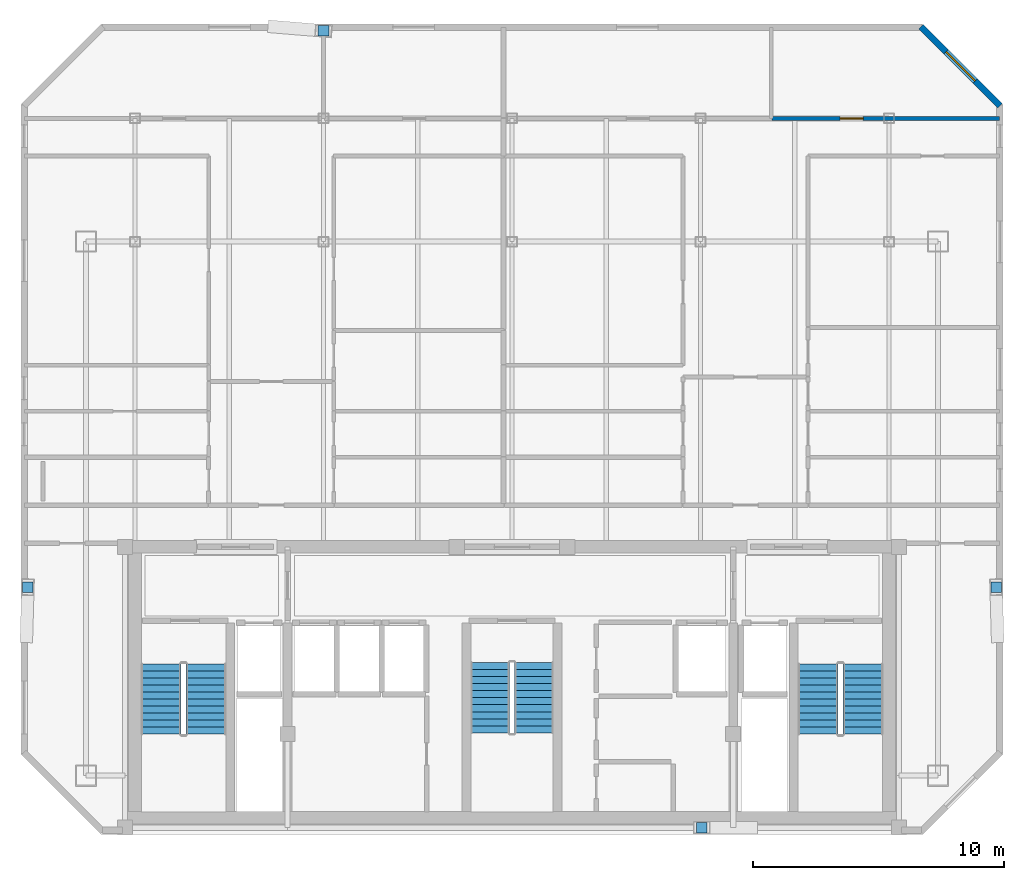
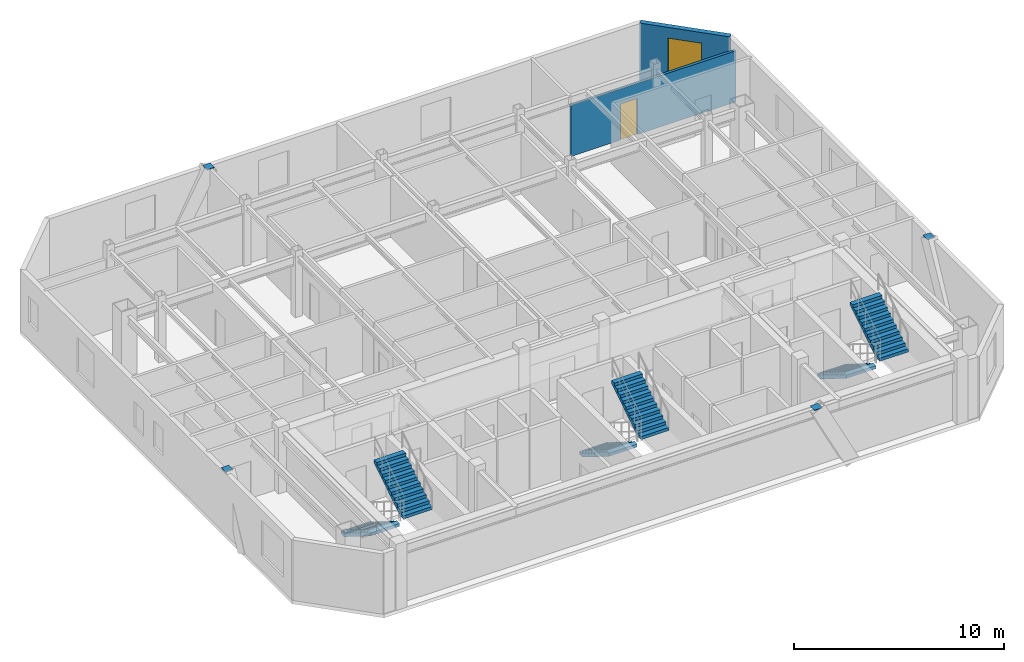
# One storey, part 6 of 7: 6 stair flights, 4 discrete accessories, 2 walls, 1 door, 1 window, 2 openings, 3 elements without a shape of their own.
"""IFC4 building model written with IfcOpenShell, lengths in metres."""

from ifc_helpers import new_model, si_unit, direction, frame, frame_2d, origin, origin_2d, place, context, subcontext, project, spatial, polyline, rectangle, outline, extrude, material, layer, layer_set, type_object, element, fill, aggregate, save


model = new_model("IFC4")

# Units and contexts
model_context = context("Model", 3, precision=1e-05, world=origin(), true_north=direction((0.0, 1.0)))
body_context = subcontext(model_context, "Body", "Model", "MODEL_VIEW")
ifc_project = project(units=[si_unit("LENGTHUNIT", "METRE"), si_unit("AREAUNIT", "SQUARE_METRE"), si_unit("VOLUMEUNIT", "CUBIC_METRE"), si_unit("PLANEANGLEUNIT", "RADIAN"), si_unit("MASSUNIT", "GRAM", prefix="KILO")], contexts=[model_context])

# Site, building, storey
site_placement = place(None, origin())
site = spatial("IfcSite", under=ifc_project, at=site_placement, CompositionType="ELEMENT")
building_placement = place(site_placement, origin())
building = spatial("IfcBuilding", under=site, at=building_placement, Name="Ventersveld Concourse Tower", CompositionType="ELEMENT")
storey_placement = place(building_placement, frame((0.0, 0.0, 328.449951171875)))
storey = spatial("IfcBuildingStorey", under=building, at=storey_placement, Name="L81", CompositionType="ELEMENT", Elevation=328.449951171875)

# Wall, opening, door
ifc_material_1 = material(Name="Autoclaved aerated masonry blockwork", Category="masonry")
ifc_layer_1 = layer(ifc_material_1, 0.14990234375)
ifc_layer_set_1 = layer_set([ifc_layer_1], Name="Autoclaved aerated masonry blockwork")
wall_type_1 = type_object("IfcWallType", Name="WL-INT-150", PredefinedType="PARTITIONING", material=ifc_layer_set_1)
wall_1_placement = place(storey_placement, frame((39.097900390625, 28.5, 0.0), z_axis=(0.0, 0.0, 1.0), x_axis=(1.0, 0.0, 0.0)))
wall_1 = element("IfcWall", 1, at=wall_1_placement, inside=storey, type_object=wall_type_1, Name="L81 Interior Partition SP-L81-81N2-LIV-SP-L81-81N2-BR2", PredefinedType="PARTITIONING", context=body_context, shape_type="SweptSolid", body=[
    extrude(rectangle(XDim=9.04638671875, YDim=0.14990234375, at=frame_2d((4.523193359375, 0.0))), origin(), (0.0, 0.0, 1.0), 2.967041015625),
])
opening_1_placement = place(wall_1_placement, frame((2.706298828125, 0.0, 0.0)))
opening_1 = element("IfcOpeningElement", 2, at=opening_1_placement, cuts=wall_1, Name="Opening ID1", PredefinedType="OPENING", context=body_context, shape_type="SweptSolid", body=[
    extrude(rectangle(XDim=0.919921875, YDim=2.10009765625, at=frame_2d((0.4599609375, 1.050048828125))), frame((0.0, 0.0849609375, 0.0), z_axis=(0.0, -1.0, 0.0), x_axis=(1.0, 0.0, 0.0)), (0.0, 0.0, 1.0), 0.169921875),
])
ifc_material_2 = material(Name="Solid-core hardwood veneer timber", Category="wood")
door_type = type_object("IfcDoorType", Name="DR-ROOM-092", OperationType="NOTDEFINED", PredefinedType="DOOR", material=ifc_material_2)
door_placement = place(opening_1_placement, origin())
door = element("IfcDoor", 3, at=door_placement, inside=storey, type_object=door_type, Name="L81 Interior Door SP-L81-81N2-LIV to SP-L81-81N2-BR2 (D-L81-3703)", OperationType="SINGLE_SWING_LEFT", OverallHeight=2.10009765625, OverallWidth=0.919921875, PredefinedType="DOOR", context=body_context, shape_type="SweptSolid", body=[
    extrude(rectangle(XDim=0.919921875, YDim=2.10009765625, at=frame_2d((0.4599609375, 1.050048828125))), frame((0.0, 0.02490234375, 0.0), z_axis=(0.0, -1.0, 0.0), x_axis=(1.0, 0.0, 0.0)), (0.0, 0.0, 1.0), 0.050048828125),
])
fill(opening_1, door)

# Wall, opening, window
ifc_material_3 = material(Name="Precast concrete C45/55", Category="concrete")
ifc_layer_2 = layer(ifc_material_3, 0.260009765625)
ifc_layer_set_2 = layer_set([ifc_layer_2], Name="Precast concrete C45/55")
wall_type_2 = type_object("IfcWallType", Name="WL-PREC-260", PredefinedType="SOLIDWALL", material=ifc_layer_set_2)
wall_2_placement = place(storey_placement, frame((48.173583984375, 29.00146484375, 0.0), z_axis=(0.0, 0.0, 1.0), x_axis=(-0.707106781187, 0.707106781187, 0.0)))
wall_2 = element("IfcWall", 4, at=wall_2_placement, inside=storey, type_object=wall_type_2, Name="L81 Highveld Precast Facade Wall E04", PredefinedType="SOLIDWALL", context=body_context, shape_type="SweptSolid", body=[
    extrude(rectangle(XDim=4.4453125, YDim=0.260009765625, at=frame_2d((2.22265625, 0.0))), origin(), (0.0, 0.0, 1.0), 3.5),
])
opening_2_placement = place(wall_2_placement, frame((1.397705078125, 0.0, 0.8798828125)))
opening_2 = element("IfcOpeningElement", 5, at=opening_2_placement, cuts=wall_2, Name="Opening W6", PredefinedType="OPENING", context=body_context, shape_type="SweptSolid", body=[
    extrude(rectangle(XDim=1.64990234375, YDim=2.0, at=frame_2d((0.824951171875, 1.0))), frame((0.0, 0.14013671875, 0.0), z_axis=(0.0, -1.0, 0.0), x_axis=(1.0, 0.0, 0.0)), (0.0, 0.0, 1.0), 0.280029296875),
])
ifc_material_4 = material(Name="Tempered acoustic Low-E IGU", Category="glass")
window_type = type_object("IfcWindowType", Name="WIN-165x200", PartitioningType="SINGLE_PANEL", PredefinedType="WINDOW", material=ifc_material_4)
window_placement = place(opening_2_placement, origin())
window = element("IfcWindow", 6, at=window_placement, inside=storey, type_object=window_type, Name="L81 Punched Low-E Window W-1157", OverallHeight=2.0, OverallWidth=1.64990234375, PartitioningType="SINGLE_PANEL", PredefinedType="WINDOW", context=body_context, shape_type="SweptSolid", body=[
    extrude(rectangle(XDim=1.64990234375, YDim=2.0, at=frame_2d((0.824951171875, 1.0))), frame((0.0, 0.030029296875, 0.0), z_axis=(0.0, -1.0, 0.0), x_axis=(1.0, 0.0, 0.0)), (0.0, 0.0, 1.0), 0.06005859375),
])
fill(opening_2, window)

# Stair, stair flights
ifc_material_5 = material(Name="Concrete C50/60", Category="concrete")
stair_type_1 = type_object("IfcStairType", Name="ST-DOG-155", PredefinedType="HALF_TURN_STAIR", material=ifc_material_5)
stair_1_placement = place(storey_placement, origin())
stair_1 = element("IfcStair", 7, at=stair_1_placement, inside=storey, type_object=stair_type_1, Name="L81 Protected Central Core Escape Stair ST-03", PredefinedType="HALF_TURN_STAIR")
stair_flight_type_1 = type_object("IfcStairFlightType", Name="STF-RC-155", PredefinedType="STRAIGHT", material=ifc_material_5)
stair_flight_1_placement = place(storey_placement, frame((27.875, 6.85009765625, 0.0), z_axis=(0.0, 0.0, 1.0), x_axis=(0.0, -1.0, 0.0)))
stair_flight_1 = element("IfcStairFlight", 8, at=stair_flight_1_placement, type_object=stair_flight_type_1, Name="ST-03 flight 1", NumberOfRisers=11, NumberOfTreads=10, PredefinedType="STRAIGHT", RiserHeight=0.175, TreadLength=0.28, context=body_context, shape_type="SweptSolid", body=[
    extrude(outline(polyline([(0.0, 0.0), (0.0, 0.175048828125), (0.280029296875, 0.175048828125), (0.280029296875, 0.35009765625), (0.56005859375, 0.35009765625), (0.56005859375, 0.52490234375), (0.840087890625, 0.52490234375), (0.840087890625, 0.699951171875), (1.1201171875, 0.699951171875), (1.1201171875, 0.875), (1.39990234375, 0.875), (1.39990234375, 1.050048828125), (1.679931640625, 1.050048828125), (1.679931640625, 1.22509765625), (1.9599609375, 1.22509765625), (1.9599609375, 1.39990234375), (2.239990234375, 1.39990234375), (2.239990234375, 1.574951171875), (2.52001953125, 1.574951171875), (2.52001953125, 1.75), (2.800048828125, 1.75), (2.800048828125, 1.925048828125), (2.800048828125, 1.5732421875), (0.28271484375, 0.0), (0.0, 0.0)])), frame((0.0, 0.77490234375, 0.0), z_axis=(0.0, -1.0, 0.0), x_axis=(1.0, 0.0, 0.0)), (0.0, 0.0, 1.0), 1.550048828125),
])
stair_flight_2_placement = place(storey_placement, frame((29.625, 4.050048828125, 1.925048828125), z_axis=(0.0, 0.0, 1.0), x_axis=(0.0, 1.0, 0.0)))
stair_flight_2 = element("IfcStairFlight", 9, at=stair_flight_2_placement, type_object=stair_flight_type_1, Name="ST-03 flight 2", NumberOfRisers=11, NumberOfTreads=10, PredefinedType="STRAIGHT", RiserHeight=0.175, TreadLength=0.28, context=body_context, shape_type="SweptSolid", body=[
    extrude(outline(polyline([(0.0, 0.0), (0.0, 0.175048828125), (0.280029296875, 0.175048828125), (0.280029296875, 0.35009765625), (0.56005859375, 0.35009765625), (0.56005859375, 0.52490234375), (0.840087890625, 0.52490234375), (0.840087890625, 0.699951171875), (1.1201171875, 0.699951171875), (1.1201171875, 0.875), (1.39990234375, 0.875), (1.39990234375, 1.050048828125), (1.679931640625, 1.050048828125), (1.679931640625, 1.22509765625), (1.9599609375, 1.22509765625), (1.9599609375, 1.39990234375), (2.239990234375, 1.39990234375), (2.239990234375, 1.574951171875), (2.52001953125, 1.574951171875), (2.52001953125, 1.75), (2.800048828125, 1.75), (2.800048828125, 1.925048828125), (2.800048828125, 1.5732421875), (0.28271484375, 0.0), (0.0, 0.0)])), frame((0.0, 0.77490234375, 0.0), z_axis=(0.0, -1.0, 0.0), x_axis=(1.0, 0.0, 0.0)), (0.0, 0.0, 1.0), 1.550048828125),
])
aggregate(stair_1, [stair_flight_1, stair_flight_2])

stair_type_2 = type_object("IfcStairType", Name="ST-DOG-160", PredefinedType="HALF_TURN_STAIR", material=ifc_material_5)
stair_2_placement = place(storey_placement, origin())
stair_2 = element("IfcStair", 10, at=stair_2_placement, inside=storey, type_object=stair_type_2, Name="L81 Protected Tower Escape Stair ST-01", PredefinedType="HALF_TURN_STAIR")
stair_flight_type_2 = type_object("IfcStairFlightType", Name="STF-RC-160", PredefinedType="STRAIGHT", material=ifc_material_5)
stair_flight_3_placement = place(storey_placement, frame((14.780029296875, 6.800048828125, 0.0), z_axis=(0.0, 0.0, 1.0), x_axis=(0.0, -1.0, 0.0)))
stair_flight_3 = element("IfcStairFlight", 11, at=stair_flight_3_placement, type_object=stair_flight_type_2, Name="ST-01 flight 1", NumberOfRisers=11, NumberOfTreads=10, PredefinedType="STRAIGHT", RiserHeight=0.175, TreadLength=0.28, context=body_context, shape_type="SweptSolid", body=[
    extrude(outline(polyline([(0.0, 0.0), (0.0, 0.175048828125), (0.280029296875, 0.175048828125), (0.280029296875, 0.35009765625), (0.56005859375, 0.35009765625), (0.56005859375, 0.52490234375), (0.840087890625, 0.52490234375), (0.840087890625, 0.699951171875), (1.1201171875, 0.699951171875), (1.1201171875, 0.875), (1.39990234375, 0.875), (1.39990234375, 1.050048828125), (1.679931640625, 1.050048828125), (1.679931640625, 1.22509765625), (1.9599609375, 1.22509765625), (1.9599609375, 1.39990234375), (2.239990234375, 1.39990234375), (2.239990234375, 1.574951171875), (2.52001953125, 1.574951171875), (2.52001953125, 1.75), (2.800048828125, 1.75), (2.800048828125, 1.925048828125), (2.800048828125, 1.5732421875), (0.28271484375, 0.0), (0.0, 0.0)])), frame((0.0, 0.800048828125, 0.0), z_axis=(0.0, -1.0, 0.0), x_axis=(1.0, 0.0, 0.0)), (0.0, 0.0, 1.0), 1.60009765625),
])
stair_flight_4_placement = place(storey_placement, frame((16.580078125, 4.0, 1.925048828125), z_axis=(0.0, 0.0, 1.0), x_axis=(0.0, 1.0, 0.0)))
stair_flight_4 = element("IfcStairFlight", 12, at=stair_flight_4_placement, type_object=stair_flight_type_2, Name="ST-01 flight 2", NumberOfRisers=11, NumberOfTreads=10, PredefinedType="STRAIGHT", RiserHeight=0.175, TreadLength=0.28, context=body_context, shape_type="SweptSolid", body=[
    extrude(outline(polyline([(0.0, 0.0), (0.0, 0.175048828125), (0.280029296875, 0.175048828125), (0.280029296875, 0.35009765625), (0.56005859375, 0.35009765625), (0.56005859375, 0.52490234375), (0.840087890625, 0.52490234375), (0.840087890625, 0.699951171875), (1.1201171875, 0.699951171875), (1.1201171875, 0.875), (1.39990234375, 0.875), (1.39990234375, 1.050048828125), (1.679931640625, 1.050048828125), (1.679931640625, 1.22509765625), (1.9599609375, 1.22509765625), (1.9599609375, 1.39990234375), (2.239990234375, 1.39990234375), (2.239990234375, 1.574951171875), (2.52001953125, 1.574951171875), (2.52001953125, 1.75), (2.800048828125, 1.75), (2.800048828125, 1.925048828125), (2.800048828125, 1.5732421875), (0.28271484375, 0.0), (0.0, 0.0)])), frame((0.0, 0.800048828125, 0.0), z_axis=(0.0, -1.0, 0.0), x_axis=(1.0, 0.0, 0.0)), (0.0, 0.0, 1.0), 1.60009765625),
])
aggregate(stair_2, [stair_flight_3, stair_flight_4])

stair_3_placement = place(storey_placement, origin())
stair_3 = element("IfcStair", 13, at=stair_3_placement, inside=storey, type_object=stair_type_2, Name="L81 Protected Tower Escape Stair ST-02", PredefinedType="HALF_TURN_STAIR")
stair_flight_5_placement = place(storey_placement, frame((40.919921875, 6.800048828125, 0.0), z_axis=(0.0, 0.0, 1.0), x_axis=(0.0, -1.0, 0.0)))
stair_flight_5 = element("IfcStairFlight", 14, at=stair_flight_5_placement, type_object=stair_flight_type_2, Name="ST-02 flight 1", NumberOfRisers=11, NumberOfTreads=10, PredefinedType="STRAIGHT", RiserHeight=0.175, TreadLength=0.28, context=body_context, shape_type="SweptSolid", body=[
    extrude(outline(polyline([(0.0, 0.0), (0.0, 0.175048828125), (0.280029296875, 0.175048828125), (0.280029296875, 0.35009765625), (0.56005859375, 0.35009765625), (0.56005859375, 0.52490234375), (0.840087890625, 0.52490234375), (0.840087890625, 0.699951171875), (1.1201171875, 0.699951171875), (1.1201171875, 0.875), (1.39990234375, 0.875), (1.39990234375, 1.050048828125), (1.679931640625, 1.050048828125), (1.679931640625, 1.22509765625), (1.9599609375, 1.22509765625), (1.9599609375, 1.39990234375), (2.239990234375, 1.39990234375), (2.239990234375, 1.574951171875), (2.52001953125, 1.574951171875), (2.52001953125, 1.75), (2.800048828125, 1.75), (2.800048828125, 1.925048828125), (2.800048828125, 1.5732421875), (0.28271484375, 0.0), (0.0, 0.0)])), frame((0.0, 0.800048828125, 0.0), z_axis=(0.0, -1.0, 0.0), x_axis=(1.0, 0.0, 0.0)), (0.0, 0.0, 1.0), 1.60009765625),
])
stair_flight_6_placement = place(storey_placement, frame((42.719970703125, 4.0, 1.925048828125), z_axis=(0.0, 0.0, 1.0), x_axis=(0.0, 1.0, 0.0)))
stair_flight_6 = element("IfcStairFlight", 15, at=stair_flight_6_placement, type_object=stair_flight_type_2, Name="ST-02 flight 2", NumberOfRisers=11, NumberOfTreads=10, PredefinedType="STRAIGHT", RiserHeight=0.175, TreadLength=0.28, context=body_context, shape_type="SweptSolid", body=[
    extrude(outline(polyline([(0.0, 0.0), (0.0, 0.175048828125), (0.280029296875, 0.175048828125), (0.280029296875, 0.35009765625), (0.56005859375, 0.35009765625), (0.56005859375, 0.52490234375), (0.840087890625, 0.52490234375), (0.840087890625, 0.699951171875), (1.1201171875, 0.699951171875), (1.1201171875, 0.875), (1.39990234375, 0.875), (1.39990234375, 1.050048828125), (1.679931640625, 1.050048828125), (1.679931640625, 1.22509765625), (1.9599609375, 1.22509765625), (1.9599609375, 1.39990234375), (2.239990234375, 1.39990234375), (2.239990234375, 1.574951171875), (2.52001953125, 1.574951171875), (2.52001953125, 1.75), (2.800048828125, 1.75), (2.800048828125, 1.925048828125), (2.800048828125, 1.5732421875), (0.28271484375, 0.0), (0.0, 0.0)])), frame((0.0, 0.800048828125, 0.0), z_axis=(0.0, -1.0, 0.0), x_axis=(1.0, 0.0, 0.0)), (0.0, 0.0, 1.0), 1.60009765625),
])
aggregate(stair_3, [stair_flight_5, stair_flight_6])

# Discrete accessories
ifc_material_6 = material(Name="Structural steel S355J2", Category="steel")
discrete_accessory_type = type_object("IfcDiscreteAccessoryType", Name="CONN-BRACE-ECP1", PredefinedType="BRACKET", material=ifc_material_6)
for number, where, z_axis, x_axis, name in (
    (16, (21.25, 31.985107421875, 3.47998046875), (0.0, 0.0, 1.0), (1.0, 0.0, 0.0), "L81 Steel Brace End Connection Plate ECP1-0503"),
    (17, (36.300048828125, 0.280029296875, 3.47998046875), (0.0, 0.0, 1.0), (1.0, 0.0, 0.0), "L81 Steel Brace End Connection Plate ECP1-0507"),
    (18, (9.486083984375, 9.85009765625, 3.47998046875), (0.0, 0.0, 1.0), (1.0, 0.0, 0.0), "L81 Steel Brace End Connection Plate ECP1-0511"),
    (19, (48.013916015625, 9.85009765625, 3.47998046875), (0.0, 0.0, 1.0), (1.0, 0.0, 0.0), "L81 Steel Brace End Connection Plate ECP1-0515"),
):
    element("IfcDiscreteAccessory", number, at=place(storey_placement, frame(where, z_axis=z_axis, x_axis=x_axis)), inside=storey, type_object=discrete_accessory_type, Name=name, PredefinedType="BRACKET", context=body_context, shape_type="SweptSolid", body=[
        extrude(rectangle(XDim=0.419921875, YDim=0.419921875, at=origin_2d()), origin(), (0.0, 0.0, 1.0), 0.0400390625),
    ])

save(model, "model.ifc")
